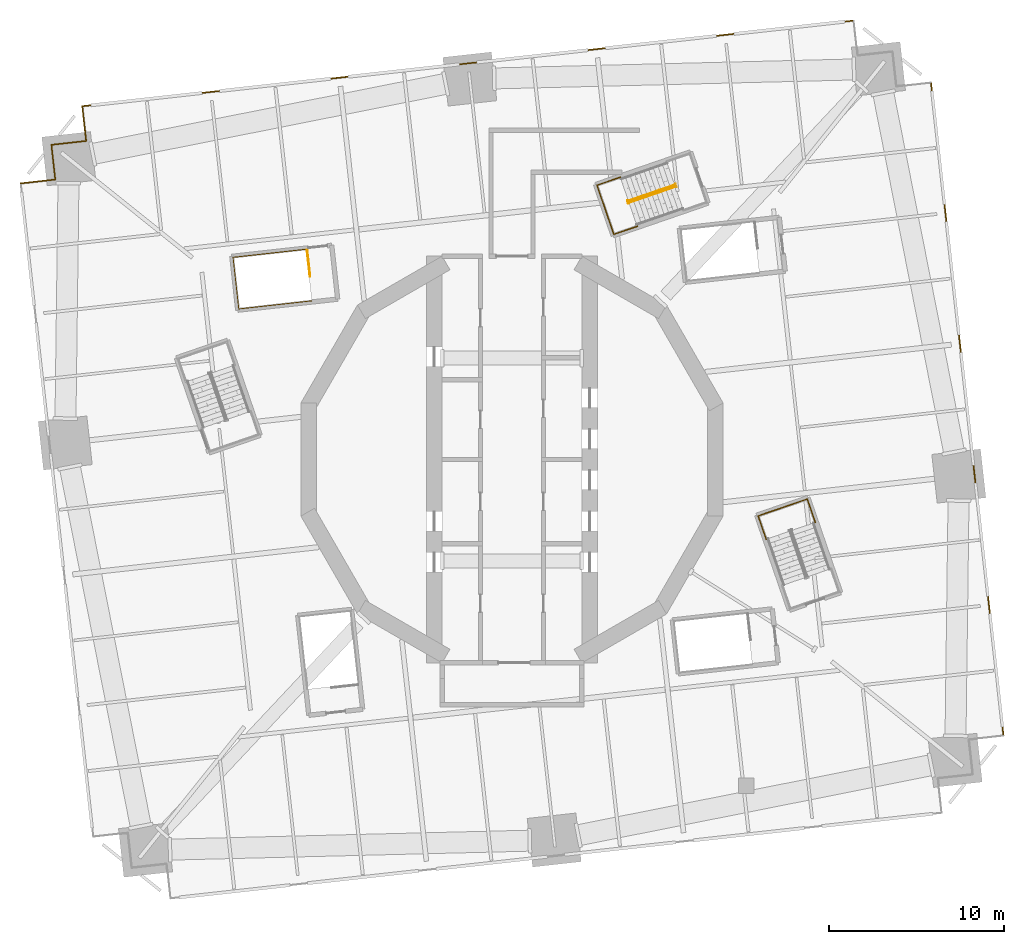
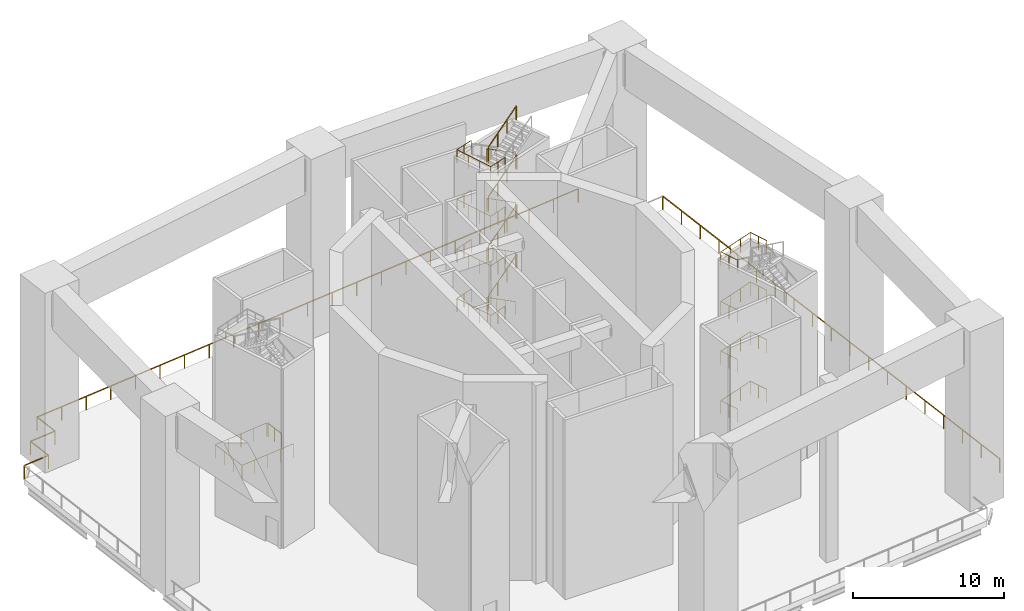
# One storey, part 12 of 13: 24 railings.
"""IFC4 building model written with IfcOpenShell, lengths in metres."""

from ifc_helpers import new_model, si_unit, direction, frame, origin, origin_2d, place, context, subcontext, project, spatial, circle, extrude, material, type_object, element, save


model = new_model("IFC4")

# Units and contexts
model_context = context("Model", 3, precision=1e-05, world=origin(), true_north=direction((0.0, 1.0)))
body_context = subcontext(model_context, "Body", "Model", "MODEL_VIEW")
ifc_project = project(units=[si_unit("LENGTHUNIT", "METRE"), si_unit("AREAUNIT", "SQUARE_METRE"), si_unit("VOLUMEUNIT", "CUBIC_METRE"), si_unit("PLANEANGLEUNIT", "RADIAN"), si_unit("MASSUNIT", "GRAM", prefix="KILO")], contexts=[model_context])

# Site, building, storey
site_placement = place(None, origin())
site = spatial("IfcSite", under=ifc_project, at=site_placement, CompositionType="ELEMENT")
building_placement = place(site_placement, origin())
building = spatial("IfcBuilding", under=site, at=building_placement, Name="Cantera Rosa Tower", CompositionType="ELEMENT")
storey_placement = place(building_placement, frame((0.0, 0.0, 84.300048828125)))
storey = spatial("IfcBuildingStorey", under=building, at=storey_placement, Name="L18", CompositionType="ELEMENT", Elevation=84.300048828125)

# Railings
ifc_material_1 = material(Name="Stainless steel and laminated glass", Category="steel")
railing_type_1 = type_object("IfcRailingType", Name="GUARD 1100", PredefinedType="BALUSTRADE", material=ifc_material_1)
railing_1_placement = place(storey_placement, frame((19.54931640625, 25.10986328125, 0.0)))
element("IfcRailing", 1, at=railing_1_placement, inside=storey, type_object=railing_type_1, Name="PORTAL GUARD L18-5", PredefinedType="BALUSTRADE", context=body_context, shape_type="SweptSolid", body=[
    extrude(circle(Radius=0.030029296875, at=origin_2d()), frame((0.0, 0.0, 1.070068359375), z_axis=(-0.993896736841, -0.110314443738, 0.0), x_axis=(0.110314443738, -0.993896736841, 0.0)), (0.0, 0.0, 1.0), 44.39990234375),
    extrude(circle(Radius=0.02490234375, at=origin_2d()), origin(), (0.0, 0.0, 1.0), 1.0400390625),
    extrude(circle(Radius=0.02490234375, at=origin_2d()), frame((-2.005859375, -0.22265625, 0.0)), (0.0, 0.0, 1.0), 1.0400390625),
    extrude(circle(Radius=0.02490234375, at=origin_2d()), frame((-4.01171875, -0.4453125, 0.0)), (0.0, 0.0, 1.0), 1.0400390625),
    extrude(circle(Radius=0.02490234375, at=origin_2d()), frame((-6.017578125, -0.66796875, 0.0)), (0.0, 0.0, 1.0), 1.0400390625),
    extrude(circle(Radius=0.02490234375, at=origin_2d()), frame((-8.0234375, -0.890625, 0.0)), (0.0, 0.0, 1.0), 1.0400390625),
    extrude(circle(Radius=0.02490234375, at=origin_2d()), frame((-10.029296875, -1.11328125, 0.0)), (0.0, 0.0, 1.0), 1.0400390625),
    extrude(circle(Radius=0.02490234375, at=origin_2d()), frame((-12.03515625, -1.335693359375, 0.0)), (0.0, 0.0, 1.0), 1.0400390625),
    extrude(circle(Radius=0.02490234375, at=origin_2d()), frame((-14.041015625, -1.558349609375, 0.0)), (0.0, 0.0, 1.0), 1.0400390625),
    extrude(circle(Radius=0.02490234375, at=origin_2d()), frame((-16.046875, -1.781005859375, 0.0)), (0.0, 0.0, 1.0), 1.0400390625),
    extrude(circle(Radius=0.02490234375, at=origin_2d()), frame((-18.052734375, -2.003662109375, 0.0)), (0.0, 0.0, 1.0), 1.0400390625),
    extrude(circle(Radius=0.02490234375, at=origin_2d()), frame((-20.05859375, -2.226318359375, 0.0)), (0.0, 0.0, 1.0), 1.0400390625),
    extrude(circle(Radius=0.02490234375, at=origin_2d()), frame((-22.064453125, -2.448974609375, 0.0)), (0.0, 0.0, 1.0), 1.0400390625),
    extrude(circle(Radius=0.02490234375, at=origin_2d()), frame((-24.0703125, -2.671630859375, 0.0)), (0.0, 0.0, 1.0), 1.0400390625),
    extrude(circle(Radius=0.02490234375, at=origin_2d()), frame((-26.076171875, -2.894287109375, 0.0)), (0.0, 0.0, 1.0), 1.0400390625),
    extrude(circle(Radius=0.02490234375, at=origin_2d()), frame((-28.08203125, -3.116943359375, 0.0)), (0.0, 0.0, 1.0), 1.0400390625),
    extrude(circle(Radius=0.02490234375, at=origin_2d()), frame((-30.087890625, -3.339599609375, 0.0)), (0.0, 0.0, 1.0), 1.0400390625),
    extrude(circle(Radius=0.02490234375, at=origin_2d()), frame((-32.09375, -3.562255859375, 0.0)), (0.0, 0.0, 1.0), 1.0400390625),
    extrude(circle(Radius=0.02490234375, at=origin_2d()), frame((-34.099609375, -3.78466796875, 0.0)), (0.0, 0.0, 1.0), 1.0400390625),
    extrude(circle(Radius=0.02490234375, at=origin_2d()), frame((-36.10546875, -4.00732421875, 0.0)), (0.0, 0.0, 1.0), 1.0400390625),
    extrude(circle(Radius=0.02490234375, at=origin_2d()), frame((-38.111328125, -4.22998046875, 0.0)), (0.0, 0.0, 1.0), 1.0400390625),
    extrude(circle(Radius=0.02490234375, at=origin_2d()), frame((-40.1171875, -4.45263671875, 0.0)), (0.0, 0.0, 1.0), 1.0400390625),
    extrude(circle(Radius=0.02490234375, at=origin_2d()), frame((-42.123046875, -4.67529296875, 0.0)), (0.0, 0.0, 1.0), 1.0400390625),
    extrude(circle(Radius=0.02490234375, at=origin_2d()), frame((-44.12890625, -4.89794921875, 0.0)), (0.0, 0.0, 1.0), 1.0400390625),
])
railing_2_placement = place(storey_placement, frame((-24.57958984375, 20.2119140625, 0.0)))
element("IfcRailing", 2, at=railing_2_placement, inside=storey, type_object=railing_type_1, Name="PORTAL GUARD L18-6", PredefinedType="BALUSTRADE", context=body_context, shape_type="SweptSolid", body=[
    extrude(circle(Radius=0.030029296875, at=origin_2d()), frame((0.0, 0.0, 1.070068359375), z_axis=(0.110230552467, -0.993906044505, 0.0), x_axis=(0.993906044505, 0.110230552467, 0.0)), (0.0, 0.0, 1.0), 2.0),
    extrude(circle(Radius=0.02490234375, at=origin_2d()), origin(), (0.0, 0.0, 1.0), 1.0400390625),
    extrude(circle(Radius=0.02490234375, at=origin_2d()), frame((0.220458984375, -1.98779296875, 0.0)), (0.0, 0.0, 1.0), 1.0400390625),
])
railing_3_placement = place(storey_placement, frame((-24.359130859375, 18.22412109375, 0.0)))
element("IfcRailing", 3, at=railing_3_placement, inside=storey, type_object=railing_type_1, Name="PORTAL GUARD L18-7", PredefinedType="BALUSTRADE", context=body_context, shape_type="SweptSolid", body=[
    extrude(circle(Radius=0.030029296875, at=origin_2d()), frame((0.0, 0.0, 1.070068359375), z_axis=(-0.993892663362, -0.110351138256, 0.0), x_axis=(0.110351138256, -0.993892663362, 0.0)), (0.0, 0.0, 1.0), 2.0),
    extrude(circle(Radius=0.02490234375, at=origin_2d()), origin(), (0.0, 0.0, 1.0), 1.0400390625),
    extrude(circle(Radius=0.02490234375, at=origin_2d()), frame((-1.98779296875, -0.220703125, 0.0)), (0.0, 0.0, 1.0), 1.0400390625),
])
railing_4_placement = place(storey_placement, frame((-26.346923828125, 18.00341796875, 0.0)))
element("IfcRailing", 4, at=railing_4_placement, inside=storey, type_object=railing_type_1, Name="PORTAL GUARD L18-8", PredefinedType="BALUSTRADE", context=body_context, shape_type="SweptSolid", body=[
    extrude(circle(Radius=0.030029296875, at=origin_2d()), frame((0.0, 0.0, 1.070068359375), z_axis=(0.110351138256, -0.993892663362, 0.0), x_axis=(0.993892663362, 0.110351138256, 0.0)), (0.0, 0.0, 1.0), 2.0),
    extrude(circle(Radius=0.02490234375, at=origin_2d()), origin(), (0.0, 0.0, 1.0), 1.0400390625),
    extrude(circle(Radius=0.02490234375, at=origin_2d()), frame((0.220703125, -1.98779296875, 0.0)), (0.0, 0.0, 1.0), 1.0400390625),
])
railing_5_placement = place(storey_placement, frame((-26.126220703125, 16.015625, 0.0)))
element("IfcRailing", 5, at=railing_5_placement, inside=storey, type_object=railing_type_1, Name="PORTAL GUARD L18-9", PredefinedType="BALUSTRADE", context=body_context, shape_type="SweptSolid", body=[
    extrude(circle(Radius=0.030029296875, at=origin_2d()), frame((0.0, 0.0, 1.070068359375), z_axis=(-0.993906044505, -0.110230552467, 0.0), x_axis=(0.110230552467, -0.993906044505, 0.0)), (0.0, 0.0, 1.0), 2.0),
    extrude(circle(Radius=0.02490234375, at=origin_2d()), origin(), (0.0, 0.0, 1.0), 1.0400390625),
    extrude(circle(Radius=0.02490234375, at=origin_2d()), frame((-1.98779296875, -0.220458984375, 0.0)), (0.0, 0.0, 1.0), 1.0400390625),
])
railing_6_placement = place(storey_placement, frame((28.114013671875, -15.795166015625, 0.0)))
element("IfcRailing", 6, at=railing_6_placement, inside=storey, type_object=railing_type_1, Name="PORTAL GUARD L18-20", PredefinedType="BALUSTRADE", context=body_context, shape_type="SweptSolid", body=[
    extrude(circle(Radius=0.030029296875, at=origin_2d()), frame((0.0, 0.0, 1.070068359375), z_axis=(-0.110311086384, 0.993897109474, 0.0), x_axis=(-0.993897109474, -0.110311086384, 0.0)), (0.0, 0.0, 1.0), 37.60009765625),
    extrude(circle(Radius=0.02490234375, at=origin_2d()), origin(), (0.0, 0.0, 1.0), 1.0400390625),
    extrude(circle(Radius=0.02490234375, at=origin_2d()), frame((-0.23046875, 2.076171875, 0.0)), (0.0, 0.0, 1.0), 1.0400390625),
    extrude(circle(Radius=0.02490234375, at=origin_2d()), frame((-0.4609375, 4.15234375, 0.0)), (0.0, 0.0, 1.0), 1.0400390625),
    extrude(circle(Radius=0.02490234375, at=origin_2d()), frame((-0.69140625, 6.228515625, 0.0)), (0.0, 0.0, 1.0), 1.0400390625),
    extrude(circle(Radius=0.02490234375, at=origin_2d()), frame((-0.921630859375, 8.3046875, 0.0)), (0.0, 0.0, 1.0), 1.0400390625),
    extrude(circle(Radius=0.02490234375, at=origin_2d()), frame((-1.152099609375, 10.380615234375, 0.0)), (0.0, 0.0, 1.0), 1.0400390625),
    extrude(circle(Radius=0.02490234375, at=origin_2d()), frame((-1.382568359375, 12.456787109375, 0.0)), (0.0, 0.0, 1.0), 1.0400390625),
    extrude(circle(Radius=0.02490234375, at=origin_2d()), frame((-1.613037109375, 14.532958984375, 0.0)), (0.0, 0.0, 1.0), 1.0400390625),
    extrude(circle(Radius=0.02490234375, at=origin_2d()), frame((-1.843505859375, 16.609130859375, 0.0)), (0.0, 0.0, 1.0), 1.0400390625),
    extrude(circle(Radius=0.02490234375, at=origin_2d()), frame((-2.07373046875, 18.685302734375, 0.0)), (0.0, 0.0, 1.0), 1.0400390625),
    extrude(circle(Radius=0.02490234375, at=origin_2d()), frame((-2.30419921875, 20.761474609375, 0.0)), (0.0, 0.0, 1.0), 1.0400390625),
    extrude(circle(Radius=0.02490234375, at=origin_2d()), frame((-2.53466796875, 22.837646484375, 0.0)), (0.0, 0.0, 1.0), 1.0400390625),
    extrude(circle(Radius=0.02490234375, at=origin_2d()), frame((-2.76513671875, 24.913818359375, 0.0)), (0.0, 0.0, 1.0), 1.0400390625),
    extrude(circle(Radius=0.02490234375, at=origin_2d()), frame((-2.99560546875, 26.989990234375, 0.0)), (0.0, 0.0, 1.0), 1.0400390625),
    extrude(circle(Radius=0.02490234375, at=origin_2d()), frame((-3.22607421875, 29.06591796875, 0.0)), (0.0, 0.0, 1.0), 1.0400390625),
    extrude(circle(Radius=0.02490234375, at=origin_2d()), frame((-3.45654296875, 31.14208984375, 0.0)), (0.0, 0.0, 1.0), 1.0400390625),
    extrude(circle(Radius=0.02490234375, at=origin_2d()), frame((-3.686767578125, 33.21826171875, 0.0)), (0.0, 0.0, 1.0), 1.0400390625),
    extrude(circle(Radius=0.02490234375, at=origin_2d()), frame((-3.917236328125, 35.29443359375, 0.0)), (0.0, 0.0, 1.0), 1.0400390625),
    extrude(circle(Radius=0.02490234375, at=origin_2d()), frame((-4.147705078125, 37.37060546875, 0.0)), (0.0, 0.0, 1.0), 1.0400390625),
])
ifc_material_2 = material(Name="Steel S355J2 (EN 10025-2)", Category="steel")
railing_type_2 = type_object("IfcRailingType", Name="STAIR GUARD 1100", PredefinedType="GUARDRAIL", material=ifc_material_2)
railing_7_placement = place(storey_placement, frame((-11.716064453125, 11.976318359375, 0.0)))
element("IfcRailing", 7, at=railing_7_placement, inside=storey, type_object=railing_type_2, Name="L18 ST-12 top well guard 1", PredefinedType="GUARDRAIL", context=body_context, shape_type="SweptSolid", body=[
    extrude(circle(Radius=0.02392578125, at=origin_2d()), frame((0.0, 0.0, 1.076171875), z_axis=(0.110342213455, -0.993893654236, 0.0), x_axis=(0.993893654236, 0.110342213455, 0.0)), (0.0, 0.0, 1.0), 1.500244140625),
    extrude(circle(Radius=0.02099609375, at=origin_2d()), origin(), (0.0, 0.0, 1.0), 1.052001953125),
    extrude(circle(Radius=0.02099609375, at=origin_2d()), frame((0.082763671875, -0.74560546875, 0.0)), (0.0, 0.0, 1.0), 1.052001953125),
    extrude(circle(Radius=0.02099609375, at=origin_2d()), frame((0.16552734375, -1.490966796875, 0.0)), (0.0, 0.0, 1.0), 1.052001953125),
])
railing_8_placement = place(storey_placement, frame((-11.7841796875, 12.029052734375, 0.0)))
element("IfcRailing", 8, at=railing_8_placement, inside=storey, type_object=railing_type_2, Name="L18 ST-12 top well guard 2", PredefinedType="GUARDRAIL", context=body_context, shape_type="SweptSolid", body=[
    extrude(circle(Radius=0.02392578125, at=origin_2d()), frame((0.0, 0.0, 1.076171875), z_axis=(-0.9938957856, -0.110323013767, 0.0), x_axis=(0.110323013767, -0.9938957856, 0.0)), (0.0, 0.0, 1.0), 4.197998046875),
    extrude(circle(Radius=0.02392578125, at=origin_2d()), frame((-4.17236328125, -0.463134765625, 1.076171875), z_axis=(0.11023303584, -0.99390576908, 0.0), x_axis=(0.99390576908, 0.11023303584, 0.0)), (0.0, 0.0, 1.0), 2.969970703125),
    extrude(circle(Radius=0.02392578125, at=origin_2d()), frame((-3.844970703125, -3.4150390625, 1.076171875), z_axis=(0.993896493372, 0.11031663729, 0.0), x_axis=(-0.11031663729, 0.993896493372, 0.0)), (0.0, 0.0, 1.0), 4.1982421875),
    extrude(circle(Radius=0.02099609375, at=origin_2d()), origin(), (0.0, 0.0, 1.0), 1.052001953125),
    extrude(circle(Radius=0.02099609375, at=origin_2d()), frame((-1.04296875, -0.11572265625, 0.0)), (0.0, 0.0, 1.0), 1.052001953125),
    extrude(circle(Radius=0.02099609375, at=origin_2d()), frame((-2.086181640625, -0.2314453125, 0.0)), (0.0, 0.0, 1.0), 1.052001953125),
    extrude(circle(Radius=0.02099609375, at=origin_2d()), frame((-3.12939453125, -0.347412109375, 0.0)), (0.0, 0.0, 1.0), 1.052001953125),
    extrude(circle(Radius=0.02099609375, at=origin_2d()), frame((-4.17236328125, -0.463134765625, 0.0)), (0.0, 0.0, 1.0), 1.052001953125),
    extrude(circle(Radius=0.02099609375, at=origin_2d()), frame((-4.063232421875, -1.447021484375, 0.0)), (0.0, 0.0, 1.0), 1.052001953125),
    extrude(circle(Radius=0.02099609375, at=origin_2d()), frame((-3.9541015625, -2.43115234375, 0.0)), (0.0, 0.0, 1.0), 1.052001953125),
    extrude(circle(Radius=0.02099609375, at=origin_2d()), frame((-3.844970703125, -3.4150390625, 0.0)), (0.0, 0.0, 1.0), 1.052001953125),
    extrude(circle(Radius=0.02099609375, at=origin_2d()), frame((-2.8017578125, -3.29931640625, 0.0)), (0.0, 0.0, 1.0), 1.052001953125),
    extrude(circle(Radius=0.02099609375, at=origin_2d()), frame((-1.7587890625, -3.18359375, 0.0)), (0.0, 0.0, 1.0), 1.052001953125),
    extrude(circle(Radius=0.02099609375, at=origin_2d()), frame((-0.715576171875, -3.067626953125, 0.0)), (0.0, 0.0, 1.0), 1.052001953125),
    extrude(circle(Radius=0.02099609375, at=origin_2d()), frame((0.32763671875, -2.951904296875, 0.0)), (0.0, 0.0, 1.0), 1.052001953125),
])
railing_9_placement = place(storey_placement, frame((9.307861328125, 15.7021484375, 0.181884765625)))
element("IfcRailing", 9, at=railing_9_placement, inside=storey, type_object=railing_type_2, Name="L18 ST-21 stair guard 1", PredefinedType="GUARDRAIL", context=body_context, shape_type="SweptSolid", body=[
    extrude(circle(Radius=0.02392578125, at=origin_2d()), frame((0.0, 0.0, 1.076171875), z_axis=(-0.793006869154, -0.273062306291, 0.544588911342), x_axis=(0.325576835135, -0.945515586558, 0.0)), (0.0, 0.0, 1.0), 3.338623046875),
    extrude(circle(Radius=0.02392578125, at=origin_2d()), frame((-2.6474609375, -0.91162109375, 2.89404296875), z_axis=(-0.989157029311, 0.146861742343, 0.0), x_axis=(-0.146861742343, -0.989157029311, 0.0)), (0.0, 0.0, 1.0), 0.056640625),
    extrude(circle(Radius=0.02392578125, at=origin_2d()), frame((-2.703369140625, -0.9033203125, 2.89404296875), z_axis=(0.325489086777, -0.945545797087, 0.0), x_axis=(0.945545797087, 0.325489086777, 0.0)), (0.0, 0.0, 1.0), 0.14990234375),
    extrude(circle(Radius=0.02099609375, at=origin_2d()), origin(), (0.0, 0.0, 1.0), 1.052001953125),
    extrude(circle(Radius=0.02099609375, at=origin_2d()), frame((-0.882568359375, -0.303955078125, 0.60595703125)), (0.0, 0.0, 1.0), 1.052001953125),
    extrude(circle(Radius=0.02099609375, at=origin_2d()), frame((-1.764892578125, -0.607666015625, 1.212158203125)), (0.0, 0.0, 1.0), 1.052001953125),
    extrude(circle(Radius=0.02099609375, at=origin_2d()), frame((-2.6474609375, -0.91162109375, 1.818115234375)), (0.0, 0.0, 1.0), 1.052001953125),
    extrude(circle(Radius=0.02099609375, at=origin_2d()), frame((-2.703369140625, -0.9033203125, 1.818115234375)), (0.0, 0.0, 1.0), 1.052001953125),
    extrude(circle(Radius=0.02099609375, at=origin_2d()), frame((-2.654541015625, -1.045166015625, 1.818115234375)), (0.0, 0.0, 1.0), 1.052001953125),
])
railing_10_placement = place(storey_placement, frame((6.692138671875, 14.69775390625, 2.181884765625)))
element("IfcRailing", 10, at=railing_10_placement, inside=storey, type_object=railing_type_2, Name="L18 ST-21 stair guard 2", PredefinedType="GUARDRAIL", context=body_context, shape_type="SweptSolid", body=[
    extrude(circle(Radius=0.02392578125, at=origin_2d()), frame((0.0, 0.0, 1.076171875), z_axis=(0.793006869154, 0.273062306291, 0.544588911342), x_axis=(-0.325576835135, 0.945515586558, 0.0)), (0.0, 0.0, 1.0), 3.338623046875),
    extrude(circle(Radius=0.02392578125, at=origin_2d()), frame((2.6474609375, 0.91162109375, 2.89404296875), z_axis=(0.989157029311, -0.146861742343, 0.0), x_axis=(0.146861742343, 0.989157029311, 0.0)), (0.0, 0.0, 1.0), 0.056640625),
    extrude(circle(Radius=0.02392578125, at=origin_2d()), frame((2.703369140625, 0.9033203125, 2.89404296875), z_axis=(-0.325489086777, 0.945545797087, 0.0), x_axis=(-0.945545797087, -0.325489086777, 0.0)), (0.0, 0.0, 1.0), 0.14990234375),
    extrude(circle(Radius=0.02099609375, at=origin_2d()), origin(), (0.0, 0.0, 1.0), 1.052001953125),
    extrude(circle(Radius=0.02099609375, at=origin_2d()), frame((0.882568359375, 0.303955078125, 0.60595703125)), (0.0, 0.0, 1.0), 1.052001953125),
    extrude(circle(Radius=0.02099609375, at=origin_2d()), frame((1.764892578125, 0.607666015625, 1.212158203125)), (0.0, 0.0, 1.0), 1.052001953125),
    extrude(circle(Radius=0.02099609375, at=origin_2d()), frame((2.6474609375, 0.91162109375, 1.818115234375)), (0.0, 0.0, 1.0), 1.052001953125),
    extrude(circle(Radius=0.02099609375, at=origin_2d()), frame((2.703369140625, 0.9033203125, 1.818115234375)), (0.0, 0.0, 1.0), 1.052001953125),
    extrude(circle(Radius=0.02099609375, at=origin_2d()), frame((2.654541015625, 1.045166015625, 1.818115234375)), (0.0, 0.0, 1.0), 1.052001953125),
])
railing_11_placement = place(storey_placement, frame((9.307861328125, 15.7021484375, 4.181884765625)))
element("IfcRailing", 11, at=railing_11_placement, inside=storey, type_object=railing_type_2, Name="L18 ST-21 stair guard 3", PredefinedType="GUARDRAIL", context=body_context, shape_type="SweptSolid", body=[
    extrude(circle(Radius=0.02392578125, at=origin_2d()), frame((0.0, 0.0, 1.076171875), z_axis=(-0.793006869154, -0.273062306291, 0.544588911342), x_axis=(0.325576835135, -0.945515586558, 0.0)), (0.0, 0.0, 1.0), 3.338623046875),
    extrude(circle(Radius=0.02392578125, at=origin_2d()), frame((-2.6474609375, -0.91162109375, 2.89404296875), z_axis=(-0.989157029311, 0.146861742343, 0.0), x_axis=(-0.146861742343, -0.989157029311, 0.0)), (0.0, 0.0, 1.0), 0.056640625),
    extrude(circle(Radius=0.02392578125, at=origin_2d()), frame((-2.703369140625, -0.9033203125, 2.89404296875), z_axis=(0.325489086777, -0.945545797087, 0.0), x_axis=(0.945545797087, 0.325489086777, 0.0)), (0.0, 0.0, 1.0), 0.14990234375),
    extrude(circle(Radius=0.02099609375, at=origin_2d()), origin(), (0.0, 0.0, 1.0), 1.052001953125),
    extrude(circle(Radius=0.02099609375, at=origin_2d()), frame((-0.882568359375, -0.303955078125, 0.60595703125)), (0.0, 0.0, 1.0), 1.052001953125),
    extrude(circle(Radius=0.02099609375, at=origin_2d()), frame((-1.764892578125, -0.607666015625, 1.212158203125)), (0.0, 0.0, 1.0), 1.052001953125),
    extrude(circle(Radius=0.02099609375, at=origin_2d()), frame((-2.6474609375, -0.91162109375, 1.818115234375)), (0.0, 0.0, 1.0), 1.052001953125),
    extrude(circle(Radius=0.02099609375, at=origin_2d()), frame((-2.703369140625, -0.9033203125, 1.818115234375)), (0.0, 0.0, 1.0), 1.052001953125),
    extrude(circle(Radius=0.02099609375, at=origin_2d()), frame((-2.654541015625, -1.045166015625, 1.818115234375)), (0.0, 0.0, 1.0), 1.052001953125),
])
railing_12_placement = place(storey_placement, frame((6.692138671875, 14.69775390625, 6.181884765625)))
element("IfcRailing", 12, at=railing_12_placement, inside=storey, type_object=railing_type_2, Name="L18 ST-21 stair guard 4", PredefinedType="GUARDRAIL", context=body_context, shape_type="SweptSolid", body=[
    extrude(circle(Radius=0.02392578125, at=origin_2d()), frame((0.0, 0.0, 1.076171875), z_axis=(0.793006869154, 0.273062306291, 0.544588911342), x_axis=(-0.325576835135, 0.945515586558, 0.0)), (0.0, 0.0, 1.0), 3.338623046875),
    extrude(circle(Radius=0.02392578125, at=origin_2d()), frame((2.6474609375, 0.91162109375, 2.89404296875), z_axis=(0.989157029311, -0.146861742343, 0.0), x_axis=(0.146861742343, 0.989157029311, 0.0)), (0.0, 0.0, 1.0), 0.056640625),
    extrude(circle(Radius=0.02392578125, at=origin_2d()), frame((2.703369140625, 0.9033203125, 2.89404296875), z_axis=(-0.325489086777, 0.945545797087, 0.0), x_axis=(-0.945545797087, -0.325489086777, 0.0)), (0.0, 0.0, 1.0), 0.14990234375),
    extrude(circle(Radius=0.02099609375, at=origin_2d()), origin(), (0.0, 0.0, 1.0), 1.052001953125),
    extrude(circle(Radius=0.02099609375, at=origin_2d()), frame((0.882568359375, 0.303955078125, 0.60595703125)), (0.0, 0.0, 1.0), 1.052001953125),
    extrude(circle(Radius=0.02099609375, at=origin_2d()), frame((1.764892578125, 0.607666015625, 1.212158203125)), (0.0, 0.0, 1.0), 1.052001953125),
    extrude(circle(Radius=0.02099609375, at=origin_2d()), frame((2.6474609375, 0.91162109375, 1.818115234375)), (0.0, 0.0, 1.0), 1.052001953125),
    extrude(circle(Radius=0.02099609375, at=origin_2d()), frame((2.703369140625, 0.9033203125, 1.818115234375)), (0.0, 0.0, 1.0), 1.052001953125),
    extrude(circle(Radius=0.02099609375, at=origin_2d()), frame((2.654541015625, 1.045166015625, 1.818115234375)), (0.0, 0.0, 1.0), 1.052001953125),
])
railing_13_placement = place(storey_placement, frame((9.307861328125, 15.7021484375, 8.181884765625)))
element("IfcRailing", 13, at=railing_13_placement, inside=storey, type_object=railing_type_2, Name="L18 ST-21 stair guard 5", PredefinedType="GUARDRAIL", context=body_context, shape_type="SweptSolid", body=[
    extrude(circle(Radius=0.02392578125, at=origin_2d()), frame((0.0, 0.0, 1.076171875), z_axis=(-0.793006869154, -0.273062306291, 0.544588911342), x_axis=(0.325576835135, -0.945515586558, 0.0)), (0.0, 0.0, 1.0), 3.338623046875),
    extrude(circle(Radius=0.02392578125, at=origin_2d()), frame((-2.6474609375, -0.91162109375, 2.89404296875), z_axis=(-0.989157029311, 0.146861742343, 0.0), x_axis=(-0.146861742343, -0.989157029311, 0.0)), (0.0, 0.0, 1.0), 0.056640625),
    extrude(circle(Radius=0.02392578125, at=origin_2d()), frame((-2.703369140625, -0.9033203125, 2.89404296875), z_axis=(0.325489086777, -0.945545797087, 0.0), x_axis=(0.945545797087, 0.325489086777, 0.0)), (0.0, 0.0, 1.0), 0.14990234375),
    extrude(circle(Radius=0.02099609375, at=origin_2d()), origin(), (0.0, 0.0, 1.0), 1.052001953125),
    extrude(circle(Radius=0.02099609375, at=origin_2d()), frame((-0.882568359375, -0.303955078125, 0.60595703125)), (0.0, 0.0, 1.0), 1.052001953125),
    extrude(circle(Radius=0.02099609375, at=origin_2d()), frame((-1.764892578125, -0.607666015625, 1.212158203125)), (0.0, 0.0, 1.0), 1.052001953125),
    extrude(circle(Radius=0.02099609375, at=origin_2d()), frame((-2.6474609375, -0.91162109375, 1.818115234375)), (0.0, 0.0, 1.0), 1.052001953125),
    extrude(circle(Radius=0.02099609375, at=origin_2d()), frame((-2.703369140625, -0.9033203125, 1.818115234375)), (0.0, 0.0, 1.0), 1.052001953125),
    extrude(circle(Radius=0.02099609375, at=origin_2d()), frame((-2.654541015625, -1.045166015625, 1.818115234375)), (0.0, 0.0, 1.0), 1.052001953125),
])
railing_14_placement = place(storey_placement, frame((6.692138671875, 14.69775390625, 10.181884765625)))
element("IfcRailing", 14, at=railing_14_placement, inside=storey, type_object=railing_type_2, Name="L18 ST-21 stair guard 6", PredefinedType="GUARDRAIL", context=body_context, shape_type="SweptSolid", body=[
    extrude(circle(Radius=0.02392578125, at=origin_2d()), frame((0.0, 0.0, 1.076171875), z_axis=(0.793006869154, 0.273062306291, 0.544588911342), x_axis=(-0.325576835135, 0.945515586558, 0.0)), (0.0, 0.0, 1.0), 3.338623046875),
    extrude(circle(Radius=0.02392578125, at=origin_2d()), frame((2.6474609375, 0.91162109375, 2.89404296875), z_axis=(0.989157029311, -0.146861742343, 0.0), x_axis=(0.146861742343, 0.989157029311, 0.0)), (0.0, 0.0, 1.0), 0.056640625),
    extrude(circle(Radius=0.02392578125, at=origin_2d()), frame((2.703369140625, 0.9033203125, 2.89404296875), z_axis=(-0.325489086777, 0.945545797087, 0.0), x_axis=(-0.945545797087, -0.325489086777, 0.0)), (0.0, 0.0, 1.0), 0.14990234375),
    extrude(circle(Radius=0.02099609375, at=origin_2d()), origin(), (0.0, 0.0, 1.0), 1.052001953125),
    extrude(circle(Radius=0.02099609375, at=origin_2d()), frame((0.882568359375, 0.303955078125, 0.60595703125)), (0.0, 0.0, 1.0), 1.052001953125),
    extrude(circle(Radius=0.02099609375, at=origin_2d()), frame((1.764892578125, 0.607666015625, 1.212158203125)), (0.0, 0.0, 1.0), 1.052001953125),
    extrude(circle(Radius=0.02099609375, at=origin_2d()), frame((2.6474609375, 0.91162109375, 1.818115234375)), (0.0, 0.0, 1.0), 1.052001953125),
    extrude(circle(Radius=0.02099609375, at=origin_2d()), frame((2.703369140625, 0.9033203125, 1.818115234375)), (0.0, 0.0, 1.0), 1.052001953125),
    extrude(circle(Radius=0.02099609375, at=origin_2d()), frame((2.654541015625, 1.045166015625, 1.818115234375)), (0.0, 0.0, 1.0), 1.052001953125),
])
railing_15_placement = place(storey_placement, frame((9.307861328125, 15.7021484375, 12.181884765625)))
element("IfcRailing", 15, at=railing_15_placement, inside=storey, type_object=railing_type_2, Name="L18 ST-21 stair guard 7", PredefinedType="GUARDRAIL", context=body_context, shape_type="SweptSolid", body=[
    extrude(circle(Radius=0.02392578125, at=origin_2d()), frame((0.0, 0.0, 1.076171875), z_axis=(-0.793006869154, -0.273062306291, 0.544588911342), x_axis=(0.325576835135, -0.945515586558, 0.0)), (0.0, 0.0, 1.0), 3.338623046875),
    extrude(circle(Radius=0.02392578125, at=origin_2d()), frame((-2.6474609375, -0.91162109375, 2.89404296875), z_axis=(-0.989157029311, 0.146861742343, 0.0), x_axis=(-0.146861742343, -0.989157029311, 0.0)), (0.0, 0.0, 1.0), 0.056640625),
    extrude(circle(Radius=0.02392578125, at=origin_2d()), frame((-2.703369140625, -0.9033203125, 2.89404296875), z_axis=(0.325489086777, -0.945545797087, 0.0), x_axis=(0.945545797087, 0.325489086777, 0.0)), (0.0, 0.0, 1.0), 0.14990234375),
    extrude(circle(Radius=0.02099609375, at=origin_2d()), origin(), (0.0, 0.0, 1.0), 1.052001953125),
    extrude(circle(Radius=0.02099609375, at=origin_2d()), frame((-0.882568359375, -0.303955078125, 0.60595703125)), (0.0, 0.0, 1.0), 1.052001953125),
    extrude(circle(Radius=0.02099609375, at=origin_2d()), frame((-1.764892578125, -0.607666015625, 1.212158203125)), (0.0, 0.0, 1.0), 1.052001953125),
    extrude(circle(Radius=0.02099609375, at=origin_2d()), frame((-2.6474609375, -0.91162109375, 1.818115234375)), (0.0, 0.0, 1.0), 1.052001953125),
    extrude(circle(Radius=0.02099609375, at=origin_2d()), frame((-2.703369140625, -0.9033203125, 1.818115234375)), (0.0, 0.0, 1.0), 1.052001953125),
    extrude(circle(Radius=0.02099609375, at=origin_2d()), frame((-2.654541015625, -1.045166015625, 1.818115234375)), (0.0, 0.0, 1.0), 1.052001953125),
])
railing_16_placement = place(storey_placement, frame((6.692138671875, 14.69775390625, 14.181884765625)))
element("IfcRailing", 16, at=railing_16_placement, inside=storey, type_object=railing_type_2, Name="L18 ST-21 stair guard 8", PredefinedType="GUARDRAIL", context=body_context, shape_type="SweptSolid", body=[
    extrude(circle(Radius=0.02392578125, at=origin_2d()), frame((0.0, 0.0, 1.076171875), z_axis=(0.793006869154, 0.273062306291, 0.544588911342), x_axis=(-0.325576835135, 0.945515586558, 0.0)), (0.0, 0.0, 1.0), 3.338623046875),
    extrude(circle(Radius=0.02099609375, at=origin_2d()), origin(), (0.0, 0.0, 1.0), 1.052001953125),
    extrude(circle(Radius=0.02099609375, at=origin_2d()), frame((0.882568359375, 0.303955078125, 0.60595703125)), (0.0, 0.0, 1.0), 1.052001953125),
    extrude(circle(Radius=0.02099609375, at=origin_2d()), frame((1.764892578125, 0.607666015625, 1.212158203125)), (0.0, 0.0, 1.0), 1.052001953125),
    extrude(circle(Radius=0.02099609375, at=origin_2d()), frame((2.6474609375, 0.91162109375, 1.818115234375)), (0.0, 0.0, 1.0), 1.052001953125),
])
for number, where, name in (
    (17, (6.2041015625, 16.152099609375, 2.0), "L18 ST-21 stair guard 10"),
    (18, (6.2041015625, 16.152099609375, 6.0), "L18 ST-21 stair guard 12"),
    (19, (6.2041015625, 16.152099609375, 10.0), "L18 ST-21 stair guard 14"),
    (20, (6.2041015625, 16.152099609375, 14.0), "L18 ST-21 stair guard 16"),
):
    element("IfcRailing", number, at=place(storey_placement, frame(where)), inside=storey, type_object=railing_type_2, Name=name, PredefinedType="GUARDRAIL", context=body_context, shape_type="SweptSolid", body=[
        extrude(circle(Radius=0.02392578125, at=origin_2d()), frame((0.0, 0.0, 1.076171875), z_axis=(-0.945529788732, -0.325535587332, 0.0), x_axis=(0.325535587332, -0.945529788732, 0.0)), (0.0, 0.0, 1.0), 1.421875),
        extrude(circle(Radius=0.02392578125, at=origin_2d()), frame((-1.344482421875, -0.462890625, 1.076171875), z_axis=(0.325608117645, -0.945504814226, 0.0), x_axis=(0.945504814226, 0.325608117645, 0.0)), (0.0, 0.0, 1.0), 2.969970703125),
        extrude(circle(Radius=0.02392578125, at=origin_2d()), frame((-0.37744140625, -3.27099609375, 1.076171875), z_axis=(0.945529788732, 0.325535587332, 0.0), x_axis=(-0.325535587332, 0.945529788732, 0.0)), (0.0, 0.0, 1.0), 1.421875),
        extrude(circle(Radius=0.02099609375, at=origin_2d()), origin(), (0.0, 0.0, 1.0), 1.052001953125),
        extrude(circle(Radius=0.02099609375, at=origin_2d()), frame((-0.67236328125, -0.2314453125, 0.0)), (0.0, 0.0, 1.0), 1.052001953125),
        extrude(circle(Radius=0.02099609375, at=origin_2d()), frame((-1.344482421875, -0.462890625, 0.0)), (0.0, 0.0, 1.0), 1.052001953125),
        extrude(circle(Radius=0.02099609375, at=origin_2d()), frame((-1.022216796875, -1.39892578125, 0.0)), (0.0, 0.0, 1.0), 1.052001953125),
        extrude(circle(Radius=0.02099609375, at=origin_2d()), frame((-0.69970703125, -2.3349609375, 0.0)), (0.0, 0.0, 1.0), 1.052001953125),
        extrude(circle(Radius=0.02099609375, at=origin_2d()), frame((-0.37744140625, -3.27099609375, 0.0)), (0.0, 0.0, 1.0), 1.052001953125),
        extrude(circle(Radius=0.02099609375, at=origin_2d()), frame((0.294921875, -3.03955078125, 0.0)), (0.0, 0.0, 1.0), 1.052001953125),
        extrude(circle(Radius=0.02099609375, at=origin_2d()), frame((0.967041015625, -2.80810546875, 0.0)), (0.0, 0.0, 1.0), 1.052001953125),
    ])
for number, where, name in (
    (21, (17.352294921875, -3.604248046875, 2.0), "L18 ST-23 stair guard 10"),
    (22, (17.352294921875, -3.604248046875, 6.0), "L18 ST-23 stair guard 12"),
    (23, (17.352294921875, -3.604248046875, 10.0), "L18 ST-23 stair guard 14"),
    (24, (17.352294921875, -3.604248046875, 14.0), "L18 ST-23 stair guard 16"),
):
    element("IfcRailing", number, at=place(storey_placement, frame(where)), inside=storey, type_object=railing_type_2, Name=name, PredefinedType="GUARDRAIL", context=body_context, shape_type="SweptSolid", body=[
        extrude(circle(Radius=0.02392578125, at=origin_2d()), frame((0.0, 0.0, 1.076171875), z_axis=(-0.325636215659, 0.945495137508, 0.0), x_axis=(-0.945495137508, -0.325636215659, 0.0)), (0.0, 0.0, 1.0), 1.42236328125),
        extrude(circle(Radius=0.02392578125, at=origin_2d()), frame((-0.463134765625, 1.3447265625, 1.076171875), z_axis=(-0.945504814226, -0.325608117645, 0.0), x_axis=(0.325608117645, -0.945504814226, 0.0)), (0.0, 0.0, 1.0), 2.969970703125),
        extrude(circle(Radius=0.02392578125, at=origin_2d()), frame((-3.271240234375, 0.377685546875, 1.076171875), z_axis=(0.325535587332, -0.945529788732, 0.0), x_axis=(0.945529788732, 0.325535587332, 0.0)), (0.0, 0.0, 1.0), 1.421875),
        extrude(circle(Radius=0.02099609375, at=origin_2d()), origin(), (0.0, 0.0, 1.0), 1.052001953125),
        extrude(circle(Radius=0.02099609375, at=origin_2d()), frame((-0.2314453125, 0.67236328125, 0.0)), (0.0, 0.0, 1.0), 1.052001953125),
        extrude(circle(Radius=0.02099609375, at=origin_2d()), frame((-0.463134765625, 1.3447265625, 0.0)), (0.0, 0.0, 1.0), 1.052001953125),
        extrude(circle(Radius=0.02099609375, at=origin_2d()), frame((-1.399169921875, 1.0224609375, 0.0)), (0.0, 0.0, 1.0), 1.052001953125),
        extrude(circle(Radius=0.02099609375, at=origin_2d()), frame((-2.335205078125, 0.699951171875, 0.0)), (0.0, 0.0, 1.0), 1.052001953125),
        extrude(circle(Radius=0.02099609375, at=origin_2d()), frame((-3.271240234375, 0.377685546875, 0.0)), (0.0, 0.0, 1.0), 1.052001953125),
        extrude(circle(Radius=0.02099609375, at=origin_2d()), frame((-3.039794921875, -0.29443359375, 0.0)), (0.0, 0.0, 1.0), 1.052001953125),
        extrude(circle(Radius=0.02099609375, at=origin_2d()), frame((-2.808349609375, -0.966796875, 0.0)), (0.0, 0.0, 1.0), 1.052001953125),
    ])

save(model, "model.ifc")
